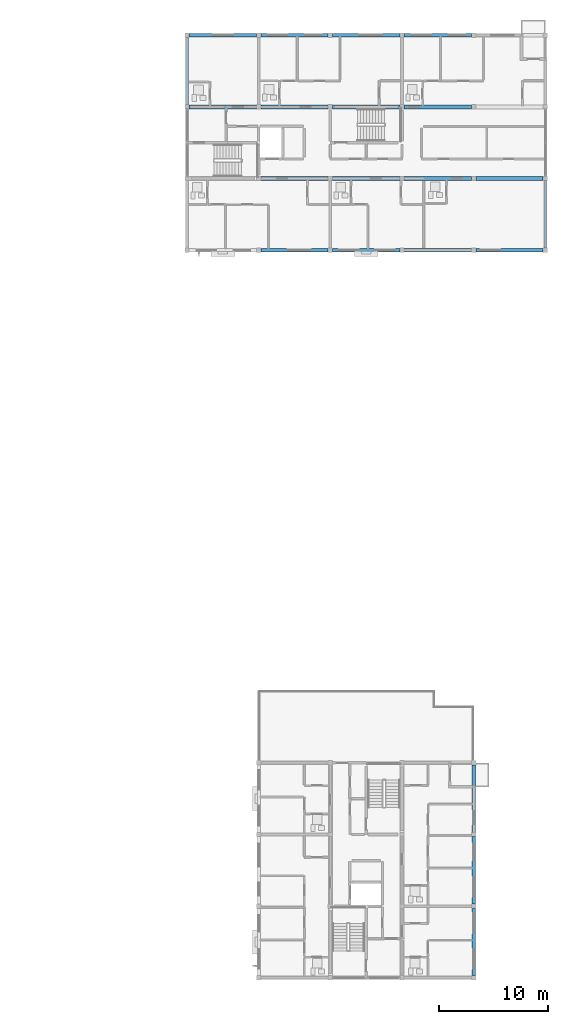
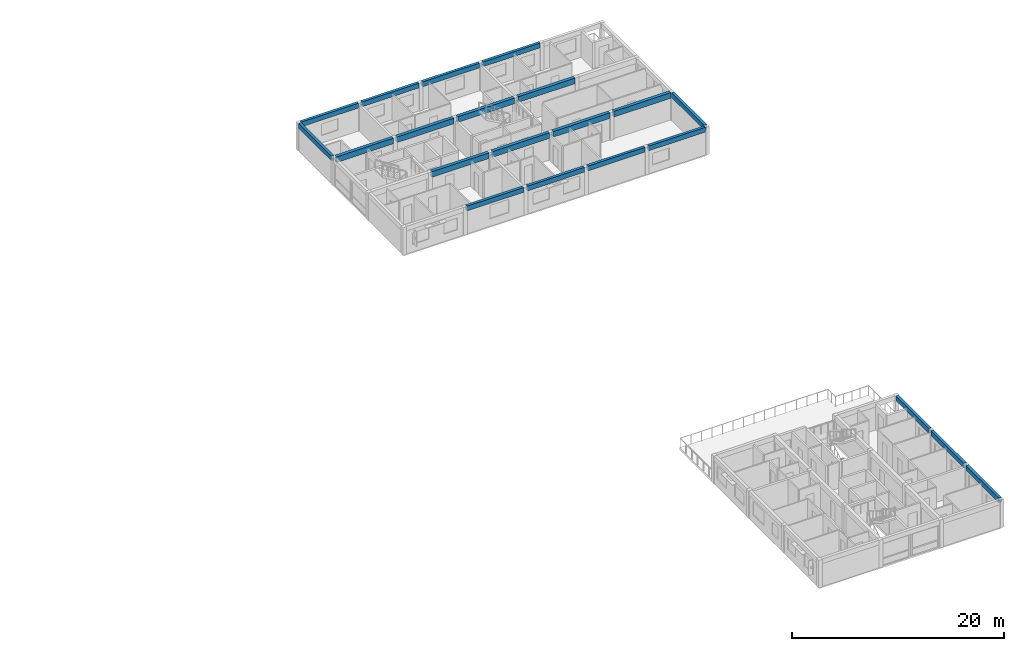
# One storey, part 13 of 37: 21 beams.
"""IFC4 building model written with IfcOpenShell, lengths in metres."""

from ifc_helpers import new_model, si_unit, direction, frame, origin, origin_2d, place, context, subcontext, project, spatial, rectangle, extrude, material, material_profile, profile_set, type_object, element, save


model = new_model("IFC4")

# Units and contexts
model_context = context("Model", 3, precision=1e-05, world=origin(), true_north=direction((0.0, 1.0)))
body_context = subcontext(model_context, "Body", "Model", "MODEL_VIEW")
ifc_project = project(units=[si_unit("LENGTHUNIT", "METRE"), si_unit("AREAUNIT", "SQUARE_METRE"), si_unit("VOLUMEUNIT", "CUBIC_METRE"), si_unit("PLANEANGLEUNIT", "RADIAN"), si_unit("MASSUNIT", "GRAM", prefix="KILO")], contexts=[model_context])

# Site, building, storey
site_placement = place(None, origin())
site = spatial("IfcSite", under=ifc_project, at=site_placement, CompositionType="ELEMENT")
building_placement = place(site_placement, origin())
building = spatial("IfcBuilding", under=site, at=building_placement, Name="Kernevlak Ridge Housing Community", CompositionType="ELEMENT")
storey_placement = place(building_placement, frame((0.0, 0.0, 37.199951171875)))
storey = spatial("IfcBuildingStorey", under=building, at=storey_placement, Name="L11", CompositionType="ELEMENT", Elevation=37.199951171875)

# Beams
ifc_material = material(Name="Concrete C35/45", Category="concrete")
ifc_material_profile_1 = material_profile(ifc_material, rectangle(XDim=0.35009765625, YDim=0.64990234375, at=origin_2d()), Name="RC 350x650")
ifc_profile_set_1 = profile_set([ifc_material_profile_1], Name="Concrete C35/45")
beam_type_1 = type_object("IfcBeamType", Name="B-02", PredefinedType="BEAM", material=ifc_profile_set_1)
for number, where, z_axis, x_axis, name in (
    (1, (126.199951171875, 89.199951171875, 2.875), (1.0, 0.0, 0.0), (0.0, 1.0, 0.0), "Beam B-02 L11 869"),
    (2, (132.800048828125, 89.199951171875, 2.875), (1.0, 0.0, 0.0), (0.0, 1.0, 0.0), "Beam B-02 L11 870"),
):
    element("IfcBeam", number, at=place(storey_placement, frame(where, z_axis=z_axis, x_axis=x_axis)), inside=storey, type_object=beam_type_1, Name=name, PredefinedType="BEAM", context=body_context, shape_type="SweptSolid", body=[
        extrude(rectangle(XDim=0.35009765625, YDim=0.64990234375, at=origin_2d()), origin(), (0.0, 0.0, 1.0), 6.199951171875),
    ])
beam_1_placement = place(storey_placement, frame((139.39990234375, 89.199951171875, 2.875), z_axis=(1.0, 0.0, 0.0), x_axis=(0.0, 1.0, 0.0)))
element("IfcBeam", 3, at=beam_1_placement, inside=storey, type_object=beam_type_1, Name="Beam B-02 L11 871", PredefinedType="BEAM", context=body_context, shape_type="SweptSolid", body=[
    extrude(rectangle(XDim=0.35009765625, YDim=0.64990234375, at=origin_2d()), origin(), (0.0, 0.0, 1.0), 6.2001953125),
])
for number, where, z_axis, x_axis, name in (
    (4, (146.0, 89.199951171875, 2.875), (1.0, 0.0, 0.0), (0.0, 1.0, 0.0), "Beam B-02 L11 872"),
    (5, (119.60009765625, 95.800048828125, 2.875), (1.0, 0.0, 0.0), (0.0, 1.0, 0.0), "Beam B-02 L11 873"),
    (6, (126.199951171875, 95.800048828125, 2.875), (1.0, 0.0, 0.0), (0.0, 1.0, 0.0), "Beam B-02 L11 874"),
    (7, (132.800048828125, 95.800048828125, 2.875), (1.0, 0.0, 0.0), (0.0, 1.0, 0.0), "Beam B-02 L11 875"),
):
    element("IfcBeam", number, at=place(storey_placement, frame(where, z_axis=z_axis, x_axis=x_axis)), inside=storey, type_object=beam_type_1, Name=name, PredefinedType="BEAM", context=body_context, shape_type="SweptSolid", body=[
        extrude(rectangle(XDim=0.35009765625, YDim=0.64990234375, at=origin_2d()), origin(), (0.0, 0.0, 1.0), 6.199951171875),
    ])
beam_2_placement = place(storey_placement, frame((139.39990234375, 95.800048828125, 2.875), z_axis=(1.0, 0.0, 0.0), x_axis=(0.0, 1.0, 0.0)))
element("IfcBeam", 8, at=beam_2_placement, inside=storey, type_object=beam_type_1, Name="Beam B-02 L11 876", PredefinedType="BEAM", context=body_context, shape_type="SweptSolid", body=[
    extrude(rectangle(XDim=0.35009765625, YDim=0.64990234375, at=origin_2d()), origin(), (0.0, 0.0, 1.0), 6.2001953125),
])
ifc_material_profile_2 = material_profile(ifc_material, rectangle(XDim=0.300048828125, YDim=0.550048828125, at=origin_2d()), Name="RC 300x550")
ifc_profile_set_2 = profile_set([ifc_material_profile_2], Name="Concrete C35/45")
beam_type_2 = type_object("IfcBeamType", Name="SP-01", PredefinedType="SPANDREL", material=ifc_profile_set_2)
for number, where, z_axis, x_axis, name in (
    (9, (126.199951171875, 82.60009765625, 2.925048828125), (1.0, 0.0, 0.0), (0.0, 1.0, 0.0), "Beam SP-01 L11 864"),
    (10, (132.800048828125, 82.60009765625, 2.925048828125), (1.0, 0.0, 0.0), (0.0, 1.0, 0.0), "Beam SP-01 L11 865"),
):
    element("IfcBeam", number, at=place(storey_placement, frame(where, z_axis=z_axis, x_axis=x_axis)), inside=storey, type_object=beam_type_2, Name=name, PredefinedType="SPANDREL", context=body_context, shape_type="SweptSolid", body=[
        extrude(rectangle(XDim=0.300048828125, YDim=0.550048828125, at=origin_2d()), origin(), (0.0, 0.0, 1.0), 6.199951171875),
    ])
beam_3_placement = place(storey_placement, frame((139.39990234375, 82.60009765625, 2.925048828125), z_axis=(1.0, 0.0, 0.0), x_axis=(0.0, 1.0, 0.0)))
element("IfcBeam", 11, at=beam_3_placement, inside=storey, type_object=beam_type_2, Name="Beam SP-01 L11 866", PredefinedType="SPANDREL", context=body_context, shape_type="SweptSolid", body=[
    extrude(rectangle(XDim=0.300048828125, YDim=0.550048828125, at=origin_2d()), origin(), (0.0, 0.0, 1.0), 6.2001953125),
])
for number, where, z_axis, x_axis, name in (
    (12, (146.0, 82.60009765625, 2.925048828125), (1.0, 0.0, 0.0), (0.0, 1.0, 0.0), "Beam SP-01 L11 867"),
    (13, (119.60009765625, 102.39990234375, 2.925048828125), (1.0, 0.0, 0.0), (0.0, 1.0, 0.0), "Beam SP-01 L11 878"),
    (14, (126.199951171875, 102.39990234375, 2.925048828125), (1.0, 0.0, 0.0), (0.0, 1.0, 0.0), "Beam SP-01 L11 879"),
    (15, (132.800048828125, 102.39990234375, 2.925048828125), (1.0, 0.0, 0.0), (0.0, 1.0, 0.0), "Beam SP-01 L11 880"),
):
    element("IfcBeam", number, at=place(storey_placement, frame(where, z_axis=z_axis, x_axis=x_axis)), inside=storey, type_object=beam_type_2, Name=name, PredefinedType="SPANDREL", context=body_context, shape_type="SweptSolid", body=[
        extrude(rectangle(XDim=0.300048828125, YDim=0.550048828125, at=origin_2d()), origin(), (0.0, 0.0, 1.0), 6.199951171875),
    ])
beam_4_placement = place(storey_placement, frame((139.39990234375, 102.39990234375, 2.925048828125), z_axis=(1.0, 0.0, 0.0), x_axis=(0.0, 1.0, 0.0)))
element("IfcBeam", 16, at=beam_4_placement, inside=storey, type_object=beam_type_2, Name="Beam SP-01 L11 881", PredefinedType="SPANDREL", context=body_context, shape_type="SweptSolid", body=[
    extrude(rectangle(XDim=0.300048828125, YDim=0.550048828125, at=origin_2d()), origin(), (0.0, 0.0, 1.0), 6.2001953125),
])
for number, where, z_axis, x_axis, name in (
    (17, (119.39990234375, 96.0, 2.925048828125), (0.0, 1.0, 0.0), (-1.0, 0.0, 0.0), "Beam SP-01 L11 885"),
    (18, (152.39990234375, 82.800048828125, 2.925048828125), (0.0, 1.0, 0.0), (-1.0, 0.0, 0.0), "Beam SP-01 L11 886"),
    (19, (145.800048828125, 15.800048828125, 2.925048828125), (0.0, 1.0, 0.0), (-1.0, 0.0, 0.0), "Beam SP-01 L11 1253"),
):
    element("IfcBeam", number, at=place(storey_placement, frame(where, z_axis=z_axis, x_axis=x_axis)), inside=storey, type_object=beam_type_2, Name=name, PredefinedType="SPANDREL", context=body_context, shape_type="SweptSolid", body=[
        extrude(rectangle(XDim=0.300048828125, YDim=0.550048828125, at=origin_2d()), origin(), (0.0, 0.0, 1.0), 6.199951171875),
    ])
beam_5_placement = place(storey_placement, frame((145.800048828125, 22.39990234375, 2.925048828125), z_axis=(0.0, 1.0, 0.0), x_axis=(-1.0, 0.0, 0.0)))
element("IfcBeam", 20, at=beam_5_placement, inside=storey, type_object=beam_type_2, Name="Beam SP-01 L11 1254", PredefinedType="SPANDREL", context=body_context, shape_type="SweptSolid", body=[
    extrude(rectangle(XDim=0.300048828125, YDim=0.550048828125, at=origin_2d()), origin(), (0.0, 0.0, 1.0), 6.2001953125),
])
beam_6_placement = place(storey_placement, frame((145.800048828125, 29.0, 2.925048828125), z_axis=(0.0, 1.0, 0.0), x_axis=(-1.0, 0.0, 0.0)))
element("IfcBeam", 21, at=beam_6_placement, inside=storey, type_object=beam_type_2, Name="Beam SP-01 L11 1255", PredefinedType="SPANDREL", context=body_context, shape_type="SweptSolid", body=[
    extrude(rectangle(XDim=0.300048828125, YDim=0.550048828125, at=origin_2d()), origin(), (0.0, 0.0, 1.0), 6.199951171875),
])

save(model, "model.ifc")
